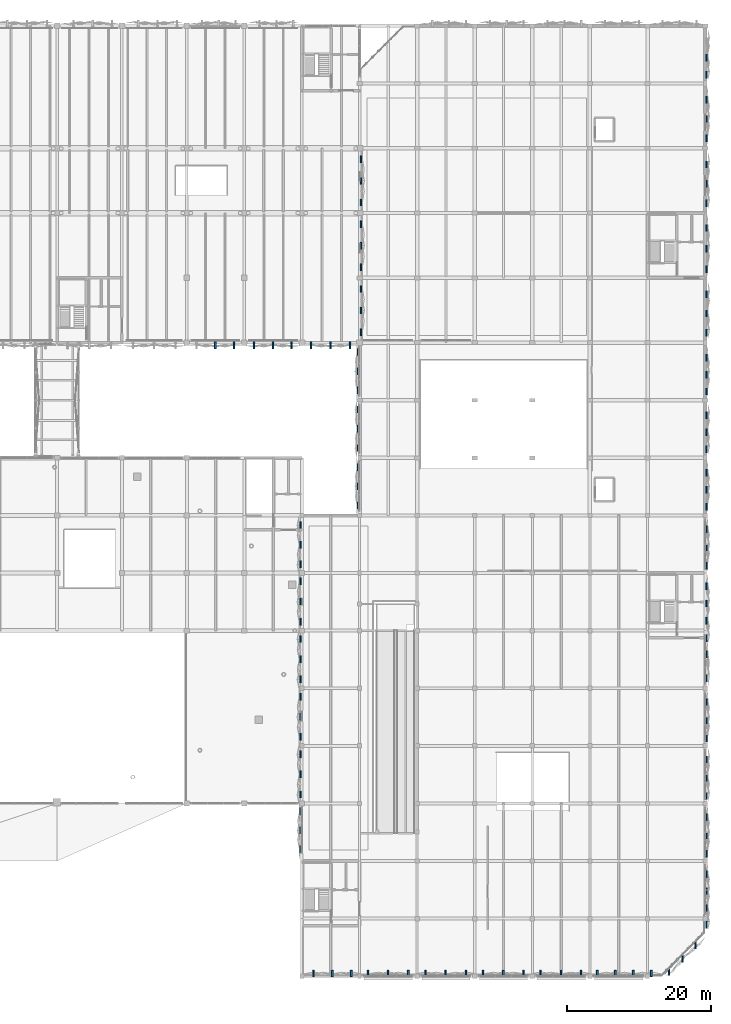
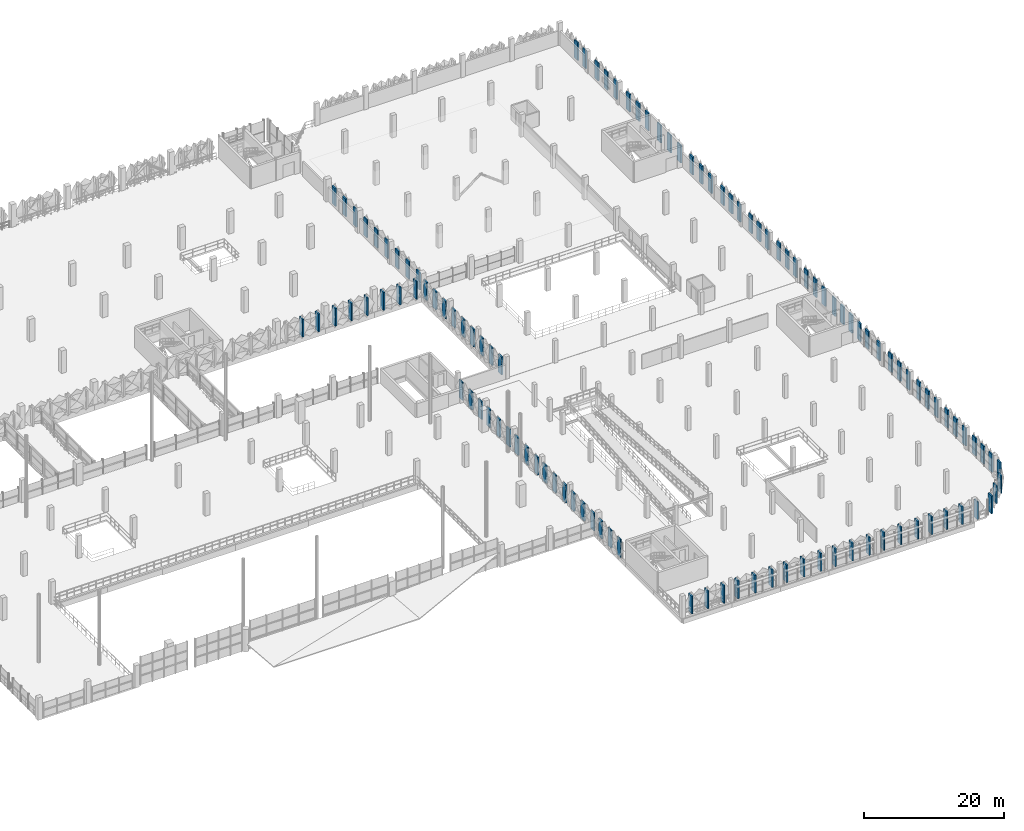
# One storey, part 84 of 123: 111 discrete accessories.
"""IFC4 building model written with IfcOpenShell, lengths in metres."""

from ifc_helpers import new_model, si_unit, derived_unit, direction, frame, origin, origin_2d, place, context, subcontext, project, spatial, rectangle, extrude, material, type_object, element, save


model = new_model("IFC4")

# Units and contexts
model_context = context("Model", 3, precision=1e-05, world=origin(), true_north=direction((0.0, 1.0)))
body_context = subcontext(model_context, "Body", "Model", "MODEL_VIEW")
ifc_project = project(units=[si_unit("LENGTHUNIT", "METRE"), si_unit("AREAUNIT", "SQUARE_METRE"), si_unit("VOLUMEUNIT", "CUBIC_METRE"), si_unit("PLANEANGLEUNIT", "RADIAN"), si_unit("MASSUNIT", "GRAM", prefix="KILO"), si_unit("THERMODYNAMICTEMPERATUREUNIT", "KELVIN"), derived_unit("THERMALTRANSMITTANCEUNIT", [(si_unit("POWERUNIT", "WATT"), 1), (si_unit("AREAUNIT", "SQUARE_METRE"), -1), (si_unit("THERMODYNAMICTEMPERATUREUNIT", "KELVIN"), -1)])], contexts=[model_context])

# Site, building, storey
site_placement = place(None, origin())
site = spatial("IfcSite", under=ifc_project, at=site_placement, CompositionType="ELEMENT")
building_placement = place(site_placement, origin())
building = spatial("IfcBuilding", under=site, at=building_placement, Name="Haiyu Intermodal Mobility Hub", CompositionType="ELEMENT")
storey_placement = place(building_placement, frame((0.0, 0.0, 5.60009765625)))
storey = spatial("IfcBuildingStorey", under=building, at=storey_placement, Name="L01", CompositionType="ELEMENT", Elevation=5.60009765625)

# Discrete accessories
ifc_material = material(Name="Steel Q355C", Category="steel")
discrete_accessory_type = type_object("IfcDiscreteAccessoryType", Name="ACC-BK02", PredefinedType="BRACKET", material=ifc_material)
for number, where, z_axis, x_axis, name in (
    (1, (141.9599609375, 103.659912109375, 0.0498046875), (0.0, 0.0, 1.0), (1.0, 0.0, 0.0), "BRK-PYR-0985"),
    (2, (144.572998046875, 103.659912109375, 0.0498046875), (0.0, 0.0, 1.0), (1.0, 0.0, 0.0), "BRK-PYR-0986"),
    (3, (147.346923828125, 103.659912109375, 0.0498046875), (0.0, 0.0, 1.0), (1.0, 0.0, 0.0), "BRK-PYR-1017"),
    (4, (149.9599609375, 103.659912109375, 0.0498046875), (0.0, 0.0, 1.0), (1.0, 0.0, 0.0), "BRK-PYR-1020"),
    (5, (152.572998046875, 103.659912109375, 0.0498046875), (0.0, 0.0, 1.0), (1.0, 0.0, 0.0), "BRK-PYR-1021"),
    (6, (210.199951171875, 81.212890625, 0.0498046875), (0.0, 0.0, 1.0), (1.0, 0.0, 0.0), "BRK-PYR-1024"),
    (7, (210.199951171875, 83.56005859375, 0.0498046875), (0.0, 0.0, 1.0), (1.0, 0.0, 0.0), "BRK-PYR-1027"),
    (8, (210.199951171875, 85.906982421875, 0.0498046875), (0.0, 0.0, 1.0), (1.0, 0.0, 0.0), "BRK-PYR-1028"),
    (9, (210.199951171875, 89.212890625, 0.0498046875), (0.0, 0.0, 1.0), (1.0, 0.0, 0.0), "BRK-PYR-1031"),
    (10, (210.199951171875, 91.56005859375, 0.0498046875), (0.0, 0.0, 1.0), (1.0, 0.0, 0.0), "BRK-PYR-1034"),
    (11, (210.199951171875, 93.906982421875, 0.0498046875), (0.0, 0.0, 1.0), (1.0, 0.0, 0.0), "BRK-PYR-1035"),
    (12, (210.199951171875, 97.212890625, 0.0498046875), (0.0, 0.0, 1.0), (1.0, 0.0, 0.0), "BRK-PYR-1038"),
    (13, (210.199951171875, 99.56005859375, 0.0498046875), (0.0, 0.0, 1.0), (1.0, 0.0, 0.0), "BRK-PYR-1041"),
    (14, (210.199951171875, 101.906982421875, 0.0498046875), (0.0, 0.0, 1.0), (1.0, 0.0, 0.0), "BRK-PYR-1042"),
    (15, (210.199951171875, 105.3798828125, 0.0498046875), (0.0, 0.0, 1.0), (1.0, 0.0, 0.0), "BRK-PYR-1045"),
    (16, (210.199951171875, 108.06005859375, 0.0498046875), (0.0, 0.0, 1.0), (1.0, 0.0, 0.0), "BRK-PYR-1048"),
    (17, (210.199951171875, 110.739990234375, 0.0498046875), (0.0, 0.0, 1.0), (1.0, 0.0, 0.0), "BRK-PYR-1049"),
    (18, (210.199951171875, 123.3798828125, 0.0498046875), (0.0, 0.0, 1.0), (1.0, 0.0, 0.0), "BRK-PYR-1052"),
    (19, (210.199951171875, 126.06005859375, 0.0498046875), (0.0, 0.0, 1.0), (1.0, 0.0, 0.0), "BRK-PYR-1055"),
    (20, (210.199951171875, 128.739990234375, 0.0498046875), (0.0, 0.0, 1.0), (1.0, 0.0, 0.0), "BRK-PYR-1056"),
    (21, (210.199951171875, 132.3798828125, 0.0498046875), (0.0, 0.0, 1.0), (1.0, 0.0, 0.0), "BRK-PYR-1059"),
    (22, (210.199951171875, 135.06005859375, 0.0498046875), (0.0, 0.0, 1.0), (1.0, 0.0, 0.0), "BRK-PYR-1062"),
    (23, (210.199951171875, 137.739990234375, 0.0498046875), (0.0, 0.0, 1.0), (1.0, 0.0, 0.0), "BRK-PYR-1063"),
    (24, (210.199951171875, 141.212890625, 0.0498046875), (0.0, 0.0, 1.0), (1.0, 0.0, 0.0), "BRK-PYR-1066"),
    (25, (210.199951171875, 143.56005859375, 0.0498046875), (0.0, 0.0, 1.0), (1.0, 0.0, 0.0), "BRK-PYR-1069"),
    (26, (210.199951171875, 62.9599609375, 0.0498046875), (0.0, 0.0, 1.0), (1.0, 0.0, 0.0), "BRK-PYR-1360"),
    (27, (210.199951171875, 65.360107421875, 0.0498046875), (0.0, 0.0, 1.0), (1.0, 0.0, 0.0), "BRK-PYR-1363"),
    (28, (210.199951171875, 67.760009765625, 0.0498046875), (0.0, 0.0, 1.0), (1.0, 0.0, 0.0), "BRK-PYR-1366"),
    (29, (210.199951171875, 70.159912109375, 0.0498046875), (0.0, 0.0, 1.0), (1.0, 0.0, 0.0), "BRK-PYR-1367"),
    (30, (210.199951171875, 114.193115234375, 0.0498046875), (0.0, 0.0, 1.0), (1.0, 0.0, 0.0), "BRK-PYR-1390"),
    (31, (210.199951171875, 117.06005859375, 0.0498046875), (0.0, 0.0, 1.0), (1.0, 0.0, 0.0), "BRK-PYR-1393"),
    (32, (210.199951171875, 119.927001953125, 0.0498046875), (0.0, 0.0, 1.0), (1.0, 0.0, 0.0), "BRK-PYR-1394"),
    (33, (204.9970703125, 16.614990234375, 0.0498046875), (0.0, 0.0, 1.0), (1.0, 0.0, 0.0), "BRK-PYR-1460"),
    (34, (206.830078125, 18.447998046875, 0.0498046875), (0.0, 0.0, 1.0), (1.0, 0.0, 0.0), "BRK-PYR-1463"),
    (35, (208.6640625, 20.281982421875, 0.0498046875), (0.0, 0.0, 1.0), (1.0, 0.0, 0.0), "BRK-PYR-1464"),
    (36, (155.576904296875, 16.3798828125, 0.0498046875), (0.0, 0.0, 1.0), (1.0, 0.0, 0.0), "BRK-PYR-1481"),
    (37, (158.2099609375, 16.3798828125, 0.0498046875), (0.0, 0.0, 1.0), (1.0, 0.0, 0.0), "BRK-PYR-1484"),
    (38, (160.843017578125, 16.3798828125, 0.0498046875), (0.0, 0.0, 1.0), (1.0, 0.0, 0.0), "BRK-PYR-1485"),
    (39, (163.159912109375, 16.3798828125, 0.0498046875), (0.0, 0.0, 1.0), (1.0, 0.0, 0.0), "BRK-PYR-1488"),
    (40, (165.9599609375, 16.3798828125, 0.0498046875), (0.0, 0.0, 1.0), (1.0, 0.0, 0.0), "BRK-PYR-1491"),
    (41, (168.760009765625, 16.3798828125, 0.0498046875), (0.0, 0.0, 1.0), (1.0, 0.0, 0.0), "BRK-PYR-1492"),
    (42, (171.159912109375, 16.3798828125, 0.0498046875), (0.0, 0.0, 1.0), (1.0, 0.0, 0.0), "BRK-PYR-1495"),
    (43, (173.9599609375, 16.3798828125, 0.0498046875), (0.0, 0.0, 1.0), (1.0, 0.0, 0.0), "BRK-PYR-1498"),
    (44, (176.760009765625, 16.3798828125, 0.0498046875), (0.0, 0.0, 1.0), (1.0, 0.0, 0.0), "BRK-PYR-1499"),
    (45, (179.159912109375, 16.3798828125, 0.0498046875), (0.0, 0.0, 1.0), (1.0, 0.0, 0.0), "BRK-PYR-1502"),
    (46, (181.9599609375, 16.3798828125, 0.0498046875), (0.0, 0.0, 1.0), (1.0, 0.0, 0.0), "BRK-PYR-1505"),
    (47, (184.760009765625, 16.3798828125, 0.0498046875), (0.0, 0.0, 1.0), (1.0, 0.0, 0.0), "BRK-PYR-1506"),
    (48, (187.159912109375, 16.3798828125, 0.0498046875), (0.0, 0.0, 1.0), (1.0, 0.0, 0.0), "BRK-PYR-1509"),
    (49, (189.9599609375, 16.3798828125, 0.0498046875), (0.0, 0.0, 1.0), (1.0, 0.0, 0.0), "BRK-PYR-1512"),
    (50, (192.760009765625, 16.3798828125, 0.0498046875), (0.0, 0.0, 1.0), (1.0, 0.0, 0.0), "BRK-PYR-1513"),
    (51, (195.010009765625, 16.3798828125, 0.0498046875), (0.0, 0.0, 1.0), (1.0, 0.0, 0.0), "BRK-PYR-1516"),
    (52, (197.510009765625, 16.3798828125, 0.0498046875), (0.0, 0.0, 1.0), (1.0, 0.0, 0.0), "BRK-PYR-1519"),
    (53, (200.010009765625, 16.3798828125, 0.0498046875), (0.0, 0.0, 1.0), (1.0, 0.0, 0.0), "BRK-PYR-1522"),
    (54, (202.510009765625, 16.3798828125, 0.0498046875), (0.0, 0.0, 1.0), (1.0, 0.0, 0.0), "BRK-PYR-1523"),
    (55, (210.199951171875, 23.135009765625, 0.0498046875), (0.0, 0.0, 1.0), (1.0, 0.0, 0.0), "BRK-PYR-1526"),
    (56, (210.199951171875, 25.485107421875, 0.0498046875), (0.0, 0.0, 1.0), (1.0, 0.0, 0.0), "BRK-PYR-1529"),
    (57, (210.199951171875, 27.8349609375, 0.0498046875), (0.0, 0.0, 1.0), (1.0, 0.0, 0.0), "BRK-PYR-1532"),
    (58, (210.199951171875, 30.18505859375, 0.0498046875), (0.0, 0.0, 1.0), (1.0, 0.0, 0.0), "BRK-PYR-1533"),
    (59, (210.199951171875, 33.027099609375, 0.0498046875), (0.0, 0.0, 1.0), (1.0, 0.0, 0.0), "BRK-PYR-1536"),
    (60, (210.199951171875, 35.56005859375, 0.0498046875), (0.0, 0.0, 1.0), (1.0, 0.0, 0.0), "BRK-PYR-1539"),
    (61, (210.199951171875, 38.093017578125, 0.0498046875), (0.0, 0.0, 1.0), (1.0, 0.0, 0.0), "BRK-PYR-1540"),
    (62, (210.199951171875, 41.027099609375, 0.0498046875), (0.0, 0.0, 1.0), (1.0, 0.0, 0.0), "BRK-PYR-1543"),
    (63, (210.199951171875, 43.56005859375, 0.0498046875), (0.0, 0.0, 1.0), (1.0, 0.0, 0.0), "BRK-PYR-1546"),
    (64, (210.199951171875, 46.093017578125, 0.0498046875), (0.0, 0.0, 1.0), (1.0, 0.0, 0.0), "BRK-PYR-1547"),
    (65, (210.199951171875, 49.027099609375, 0.0498046875), (0.0, 0.0, 1.0), (1.0, 0.0, 0.0), "BRK-PYR-1550"),
    (66, (210.199951171875, 51.56005859375, 0.0498046875), (0.0, 0.0, 1.0), (1.0, 0.0, 0.0), "BRK-PYR-1553"),
    (67, (210.199951171875, 54.093017578125, 0.0498046875), (0.0, 0.0, 1.0), (1.0, 0.0, 0.0), "BRK-PYR-1554"),
    (68, (210.199951171875, 57.409912109375, 0.0498046875), (0.0, 0.0, 1.0), (1.0, 0.0, 0.0), "BRK-PYR-1557"),
    (69, (210.199951171875, 60.7099609375, 0.0498046875), (0.0, 0.0, 1.0), (1.0, 0.0, 0.0), "BRK-PYR-1558"),
    (70, (210.199951171875, 73.027099609375, 0.0498046875), (0.0, 0.0, 1.0), (1.0, 0.0, 0.0), "BRK-PYR-1561"),
    (71, (210.199951171875, 75.56005859375, 0.0498046875), (0.0, 0.0, 1.0), (1.0, 0.0, 0.0), "BRK-PYR-1564"),
    (72, (210.199951171875, 78.093017578125, 0.0498046875), (0.0, 0.0, 1.0), (1.0, 0.0, 0.0), "BRK-PYR-1565"),
    (73, (153.800048828125, 38.923095703125, 0.0498046875), (0.0, 0.0, 1.0), (1.0, 0.0, 0.0), "BRK-PYR-1568"),
    (74, (153.800048828125, 36.2900390625, 0.0498046875), (0.0, 0.0, 1.0), (1.0, 0.0, 0.0), "BRK-PYR-1571"),
    (75, (153.800048828125, 33.656982421875, 0.0498046875), (0.0, 0.0, 1.0), (1.0, 0.0, 0.0), "BRK-PYR-1572"),
    (76, (153.800048828125, 46.840087890625, 0.0498046875), (0.0, 0.0, 1.0), (1.0, 0.0, 0.0), "BRK-PYR-1575"),
    (77, (153.800048828125, 44.0400390625, 0.0498046875), (0.0, 0.0, 1.0), (1.0, 0.0, 0.0), "BRK-PYR-1578"),
    (78, (153.800048828125, 41.239990234375, 0.0498046875), (0.0, 0.0, 1.0), (1.0, 0.0, 0.0), "BRK-PYR-1579"),
    (79, (153.800048828125, 54.840087890625, 0.0498046875), (0.0, 0.0, 1.0), (1.0, 0.0, 0.0), "BRK-PYR-1582"),
    (80, (153.800048828125, 52.0400390625, 0.0498046875), (0.0, 0.0, 1.0), (1.0, 0.0, 0.0), "BRK-PYR-1585"),
    (81, (153.800048828125, 49.239990234375, 0.0498046875), (0.0, 0.0, 1.0), (1.0, 0.0, 0.0), "BRK-PYR-1586"),
    (82, (153.800048828125, 62.840087890625, 0.0498046875), (0.0, 0.0, 1.0), (1.0, 0.0, 0.0), "BRK-PYR-1589"),
    (83, (153.800048828125, 60.0400390625, 0.0498046875), (0.0, 0.0, 1.0), (1.0, 0.0, 0.0), "BRK-PYR-1592"),
    (84, (153.800048828125, 57.239990234375, 0.0498046875), (0.0, 0.0, 1.0), (1.0, 0.0, 0.0), "BRK-PYR-1593"),
    (85, (153.800048828125, 70.840087890625, 0.0498046875), (0.0, 0.0, 1.0), (1.0, 0.0, 0.0), "BRK-PYR-1596"),
    (86, (153.800048828125, 68.0400390625, 0.0498046875), (0.0, 0.0, 1.0), (1.0, 0.0, 0.0), "BRK-PYR-1599"),
    (87, (153.800048828125, 65.239990234375, 0.0498046875), (0.0, 0.0, 1.0), (1.0, 0.0, 0.0), "BRK-PYR-1600"),
    (88, (153.800048828125, 78.673095703125, 0.0498046875), (0.0, 0.0, 1.0), (1.0, 0.0, 0.0), "BRK-PYR-1603"),
    (89, (153.800048828125, 75.93994140625, 0.0498046875), (0.0, 0.0, 1.0), (1.0, 0.0, 0.0), "BRK-PYR-1606"),
    (90, (153.800048828125, 73.20703125, 0.0498046875), (0.0, 0.0, 1.0), (1.0, 0.0, 0.0), "BRK-PYR-1607"),
    (91, (161.800048828125, 86.70703125, 0.0498046875), (0.0, 0.0, 1.0), (1.0, 0.0, 0.0), "BRK-PYR-2087"),
    (92, (161.800048828125, 84.0400390625, 0.0498046875), (0.0, 0.0, 1.0), (1.0, 0.0, 0.0), "BRK-PYR-2090"),
    (93, (161.800048828125, 81.373046875, 0.0498046875), (0.0, 0.0, 1.0), (1.0, 0.0, 0.0), "BRK-PYR-2091"),
    (94, (161.800048828125, 94.70703125, 0.0498046875), (0.0, 0.0, 1.0), (1.0, 0.0, 0.0), "BRK-PYR-2094"),
    (95, (161.800048828125, 92.0400390625, 0.0498046875), (0.0, 0.0, 1.0), (1.0, 0.0, 0.0), "BRK-PYR-2097"),
    (96, (161.800048828125, 89.373046875, 0.0498046875), (0.0, 0.0, 1.0), (1.0, 0.0, 0.0), "BRK-PYR-2098"),
    (97, (161.800048828125, 102.70703125, 0.0498046875), (0.0, 0.0, 1.0), (1.0, 0.0, 0.0), "BRK-PYR-2101"),
    (98, (161.800048828125, 100.0400390625, 0.0498046875), (0.0, 0.0, 1.0), (1.0, 0.0, 0.0), "BRK-PYR-2104"),
    (99, (161.800048828125, 97.373046875, 0.0498046875), (0.0, 0.0, 1.0), (1.0, 0.0, 0.0), "BRK-PYR-2105"),
    (100, (162.199951171875, 105.4599609375, 0.0498046875), (0.0, 0.0, 1.0), (1.0, 0.0, 0.0), "BRK-PYR-2171"),
    (101, (162.199951171875, 108.4599609375, 0.0498046875), (0.0, 0.0, 1.0), (1.0, 0.0, 0.0), "BRK-PYR-2174"),
    (102, (162.199951171875, 111.4599609375, 0.0498046875), (0.0, 0.0, 1.0), (1.0, 0.0, 0.0), "BRK-PYR-2175"),
    (103, (162.199951171875, 114.4599609375, 0.0498046875), (0.0, 0.0, 1.0), (1.0, 0.0, 0.0), "BRK-PYR-2178"),
    (104, (162.199951171875, 117.4599609375, 0.0498046875), (0.0, 0.0, 1.0), (1.0, 0.0, 0.0), "BRK-PYR-2181"),
    (105, (162.199951171875, 120.4599609375, 0.0498046875), (0.0, 0.0, 1.0), (1.0, 0.0, 0.0), "BRK-PYR-2182"),
    (106, (162.199951171875, 123.4599609375, 0.0498046875), (0.0, 0.0, 1.0), (1.0, 0.0, 0.0), "BRK-PYR-2185"),
    (107, (162.199951171875, 126.4599609375, 0.0498046875), (0.0, 0.0, 1.0), (1.0, 0.0, 0.0), "BRK-PYR-2188"),
    (108, (162.199951171875, 129.4599609375, 0.0498046875), (0.0, 0.0, 1.0), (1.0, 0.0, 0.0), "BRK-PYR-2189"),
    (109, (155.260009765625, 103.659912109375, 0.0498046875), (0.0, 0.0, 1.0), (1.0, 0.0, 0.0), "BRK-PYR-2283"),
    (110, (157.9599609375, 103.659912109375, 0.0498046875), (0.0, 0.0, 1.0), (1.0, 0.0, 0.0), "BRK-PYR-2286"),
    (111, (160.659912109375, 103.659912109375, 0.0498046875), (0.0, 0.0, 1.0), (1.0, 0.0, 0.0), "BRK-PYR-2287"),
):
    element("IfcDiscreteAccessory", number, at=place(storey_placement, frame(where, z_axis=z_axis, x_axis=x_axis)), inside=storey, type_object=discrete_accessory_type, Name=name, PredefinedType="BRACKET", context=body_context, shape_type="SweptSolid", body=[
        extrude(rectangle(XDim=0.219970703125, YDim=0.949951171875, at=origin_2d()), origin(), (0.0, 0.0, 1.0), 3.10009765625),
    ])

save(model, "model.ifc")
